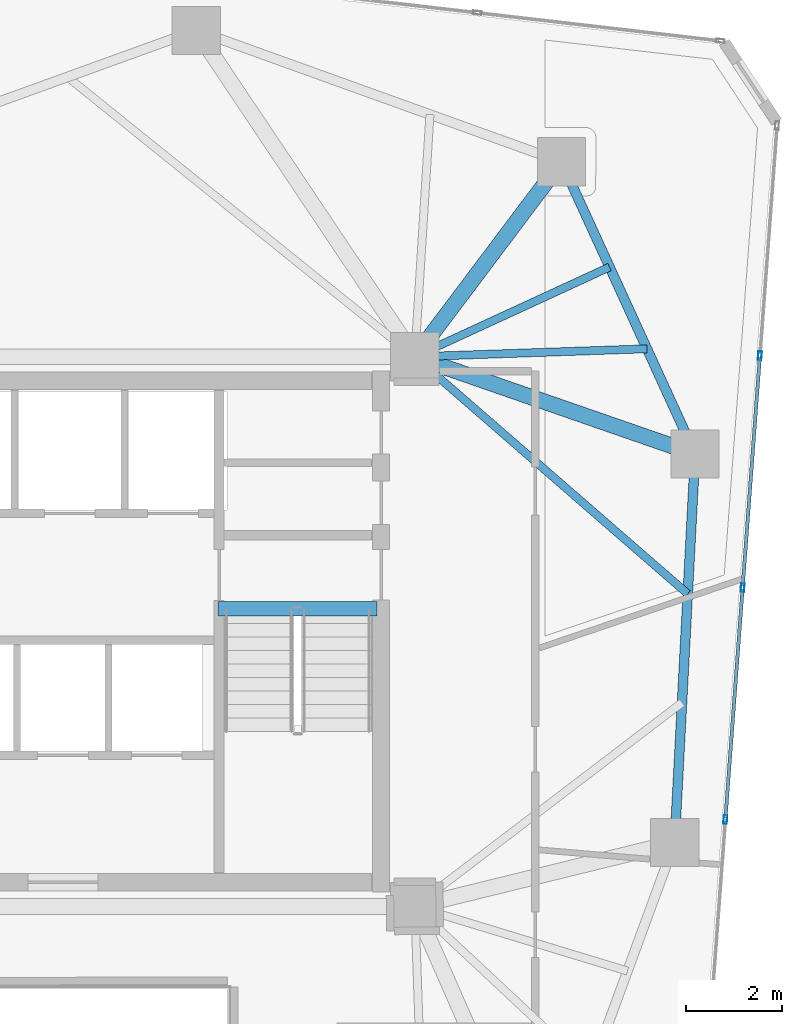
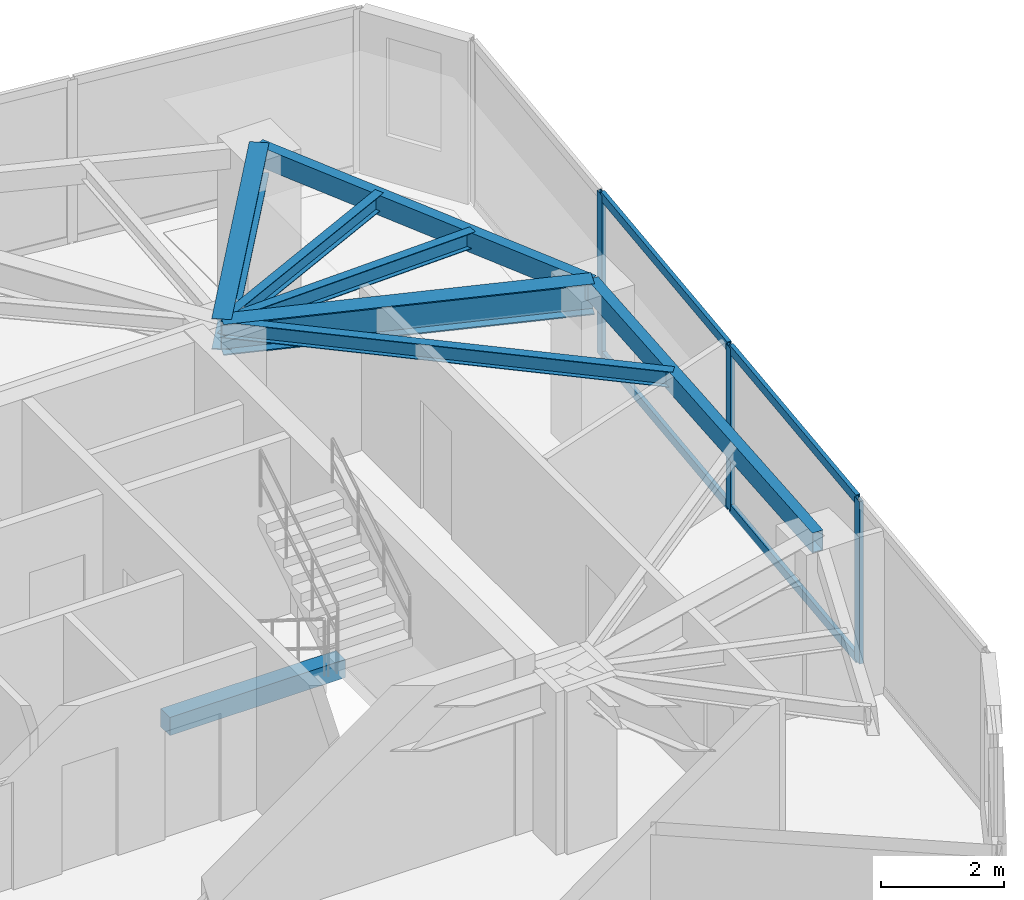
# One storey, part 11 of 20: 8 beams, 7 members, 1 element without a shape of its own.
"""IFC4 building model written with IfcOpenShell, lengths in metres."""

from ifc_helpers import new_model, si_unit, direction, frame, origin, origin_2d, place, context, subcontext, project, spatial, rectangle, hollow_rectangle, i_section, extrude, source, transform, mapped, material, layer, layer_set, material_profile, profile_set, type_object, type_shapes, element, aggregate, save


model = new_model("IFC4")

# Units and contexts
model_context = context("Model", 3, precision=1e-05, world=origin(), true_north=direction((0.0, 1.0)))
body_context = subcontext(model_context, "Body", "Model", "MODEL_VIEW")
ifc_project = project(units=[si_unit("LENGTHUNIT", "METRE"), si_unit("AREAUNIT", "SQUARE_METRE"), si_unit("VOLUMEUNIT", "CUBIC_METRE"), si_unit("PLANEANGLEUNIT", "RADIAN"), si_unit("MASSUNIT", "GRAM", prefix="KILO")], contexts=[model_context])

# Site, building, storey
site_placement = place(None, origin())
site = spatial("IfcSite", under=ifc_project, at=site_placement, CompositionType="ELEMENT")
building_placement = place(site_placement, origin())
building = spatial("IfcBuilding", under=site, at=building_placement, Name="Talar Marvaseh", CompositionType="ELEMENT")
storey_placement = place(building_placement, frame((0.0, 0.0, 215.199951171875)))
storey = spatial("IfcBuildingStorey", under=building, at=storey_placement, Name="L56", CompositionType="ELEMENT", Elevation=215.199951171875)

# Beams
ifc_material_1 = material(Name="Concrete C40/50", Category="concrete")
ifc_material_profile_1 = material_profile(ifc_material_1, rectangle(XDim=0.300048828125, YDim=0.360107421875, at=origin_2d()), Name="RC300x360")
ifc_profile_set_1 = profile_set([ifc_material_profile_1], Name="Concrete C40/50")
beam_type_1 = type_object("IfcBeamType", Name="Concrete Stair Landing Trimmer Beam RC300x360", PredefinedType="SPANDREL", material=ifc_profile_set_1)
beam_1_placement = place(storey_placement, frame((29.219970703125, 31.669921875, -0.179931640625), z_axis=(1.0, 0.0, 0.0), x_axis=(0.0, 1.0, 0.0)))
element("IfcBeam", 1, at=beam_1_placement, inside=storey, type_object=beam_type_1, Name="L56 ST-2 Stair Nosing Trimmer Beam", PredefinedType="SPANDREL", context=body_context, shape_type="SweptSolid", body=[
    extrude(rectangle(XDim=0.300048828125, YDim=0.360107421875, at=origin_2d()), origin(), (0.0, 0.0, 1.0), 3.300048828125),
])
ifc_material_2 = material(Name="Steel S355", Category="steel")
ifc_material_profile_2 = material_profile(ifc_material_2, hollow_rectangle(XDim=0.199951171875, YDim=0.39990234375, WallThickness=0.013916015625, at=origin_2d()), Name="RHS400x200x14")
ifc_profile_set_2 = profile_set([ifc_material_profile_2], Name="Steel S355")
beam_type_2 = type_object("IfcBeamType", Name="Zone 3 Perimeter Spandrel Beam RHS400x200x14", PredefinedType="SPANDREL", material=ifc_profile_set_2)
beam_2_placement = place(storey_placement, frame((36.341064453125, 40.94189453125, 3.030029296875), z_axis=(0.416090570719, -0.909323175202, 0.0), x_axis=(0.909323175202, 0.416090570719, 0.0)))
element("IfcBeam", 2, at=beam_2_placement, inside=storey, type_object=beam_type_2, Name="L56 Zone 3 Perimeter Spandrel Beam RHS400x200x14", PredefinedType="SPANDREL", context=body_context, shape_type="SweptSolid", body=[
    extrude(hollow_rectangle(XDim=0.199951171875, YDim=0.39990234375, WallThickness=0.013916015625, at=origin_2d()), origin(), (0.0, 0.0, 1.0), 6.661865234375),
])
beam_3_placement = place(storey_placement, frame((39.113037109375, 34.884033203125, 3.030029296875), z_axis=(-0.052541369293, -0.998618748328, 0.0), x_axis=(0.998618748328, -0.052541369293, 0.0)))
element("IfcBeam", 3, at=beam_3_placement, inside=storey, type_object=beam_type_2, Name="L56 Zone 3 Perimeter Spandrel Beam RHS400x200x14", PredefinedType="SPANDREL", context=body_context, shape_type="SweptSolid", body=[
    extrude(hollow_rectangle(XDim=0.199951171875, YDim=0.39990234375, WallThickness=0.013916015625, at=origin_2d()), origin(), (0.0, 0.0, 1.0), 8.0712890625),
])
ifc_material_profile_3 = material_profile(ifc_material_2, i_section(OverallWidth=0.324951171875, OverallDepth=0.615966796875, WebThickness=0.013916015625, FlangeThickness=0.021484375, at=origin_2d()), Name="W610x174")
ifc_profile_set_3 = profile_set([ifc_material_profile_3], Name="Steel S355")
beam_type_3 = type_object("IfcBeamType", Name="Zone 3 Radial Floor Girder W610x174", PredefinedType="BEAM", material=ifc_profile_set_3)
beam_4_placement = place(storey_placement, frame((36.341064453125, 40.94189453125, 2.922119140625), z_axis=(-0.601204044541, -0.799095549247, 0.0), x_axis=(0.799095549247, -0.601204044541, 0.0)))
element("IfcBeam", 4, at=beam_4_placement, inside=storey, type_object=beam_type_3, Name="L56 Zone 3 Radial Floor Girder W610x174", PredefinedType="BEAM", context=body_context, shape_type="SweptSolid", body=[
    extrude(i_section(OverallWidth=0.324951171875, OverallDepth=0.615966796875, WebThickness=0.013916015625, FlangeThickness=0.021484375, at=origin_2d()), origin(), (0.0, 0.0, 1.0), 5.05810546875),
])
beam_5_placement = place(storey_placement, frame((39.113037109375, 34.884033203125, 2.922119140625), z_axis=(-0.94480098975, 0.327644761544, 0.0), x_axis=(-0.327644761544, -0.94480098975, 0.0)))
element("IfcBeam", 5, at=beam_5_placement, inside=storey, type_object=beam_type_3, Name="L56 Zone 3 Radial Floor Girder W610x174", PredefinedType="BEAM", context=body_context, shape_type="SweptSolid", body=[
    extrude(i_section(OverallWidth=0.324951171875, OverallDepth=0.615966796875, WebThickness=0.013916015625, FlangeThickness=0.021484375, at=origin_2d()), origin(), (0.0, 0.0, 1.0), 6.152587890625),
])
ifc_material_profile_4 = material_profile(ifc_material_2, i_section(OverallWidth=0.166015625, OverallDepth=0.31298828125, WebThickness=0.006591796875, FlangeThickness=0.01123046875, at=origin_2d()), Name="W310x45")
ifc_profile_set_4 = profile_set([ifc_material_profile_4], Name="Steel S355")
beam_type_4 = type_object("IfcBeamType", Name="Zone 3 Secondary Floor Joist W310x45", PredefinedType="JOIST", material=ifc_profile_set_4)
beam_6_placement = place(storey_placement, frame((37.3388671875, 38.760986328125, 3.073486328125), z_axis=(-0.908214702737, -0.418504544458, 0.0), x_axis=(0.418504544458, -0.908214702737, 0.0)))
element("IfcBeam", 6, at=beam_6_placement, inside=storey, type_object=beam_type_4, Name="L56 Zone 3 Secondary Floor Joist W310x45", PredefinedType="JOIST", context=body_context, shape_type="SweptSolid", body=[
    extrude(i_section(OverallWidth=0.166015625, OverallDepth=0.31298828125, WebThickness=0.006591796875, FlangeThickness=0.01123046875, at=origin_2d()), origin(), (0.0, 0.0, 1.0), 4.447021484375),
])
beam_7_placement = place(storey_placement, frame((38.114990234375, 37.06494140625, 3.073486328125), z_axis=(-0.999413079861, -0.034256325017, 0.0), x_axis=(0.034256325017, -0.999413079861, 0.0)))
element("IfcBeam", 7, at=beam_7_placement, inside=storey, type_object=beam_type_4, Name="L56 Zone 3 Secondary Floor Joist W310x45", PredefinedType="JOIST", context=body_context, shape_type="SweptSolid", body=[
    extrude(i_section(OverallWidth=0.166015625, OverallDepth=0.31298828125, WebThickness=0.006591796875, FlangeThickness=0.01123046875, at=origin_2d()), origin(), (0.0, 0.0, 1.0), 4.81787109375),
])
beam_8_placement = place(storey_placement, frame((38.96044921875, 31.982421875, 3.073486328125), z_axis=(-0.754909663958, 0.655828788071, 0.0), x_axis=(-0.655828788071, -0.754909663958, 0.0)))
element("IfcBeam", 8, at=beam_8_placement, inside=storey, type_object=beam_type_4, Name="L56 Zone 3 Secondary Floor Joist W310x45", PredefinedType="JOIST", context=body_context, shape_type="SweptSolid", body=[
    extrude(i_section(OverallWidth=0.166015625, OverallDepth=0.31298828125, WebThickness=0.006591796875, FlangeThickness=0.01123046875, at=origin_2d()), origin(), (0.0, 0.0, 1.0), 7.498046875),
])

# Curtain wall, members
ifc_material_3 = material(Name="Architectural Aluminium", Category="aluminium")
ifc_layer = layer(ifc_material_3, 0.18994140625)
ifc_layer_set = layer_set([ifc_layer], Name="Architectural Aluminium")
curtain_wall_type = type_object("IfcCurtainWallType", Name="Unitised Solar Atelier Curtain Wall Z3", PredefinedType="NOTDEFINED", material=ifc_layer_set)
curtain_wall_placement = place(storey_placement, origin())
curtain_wall = element("IfcCurtainWall", 9, at=curtain_wall_placement, inside=storey, type_object=curtain_wall_type, Name="L56 Unitised Solar Atelier Curtain Wall Z3", PredefinedType="NOTDEFINED")
ifc_material_profile_5 = material_profile(ifc_material_3, hollow_rectangle(XDim=0.074951171875, YDim=0.179931640625, WallThickness=0.0048828125, at=origin_2d()), Name="RHS180x75x5")
ifc_profile_set_5 = profile_set([ifc_material_profile_5], Name="Architectural Aluminium")
member_type_1 = type_object("IfcMemberType", Name="Unitised Curtain Wall Standard Mullion RHS180x75x5", PredefinedType="MULLION", material=ifc_profile_set_5)
shared_shape_1 = source(origin(), body_context, "Body", "SweptSolid", [
    extrude(hollow_rectangle(XDim=0.074951171875, YDim=0.179931640625, WallThickness=0.0048828125, at=origin_2d()), origin(), (0.0, 0.0, 1.0), 3.22998046875),
])
type_shapes(member_type_1, [shared_shape_1])
member_1_placement = place(storey_placement, frame((40.456787109375, 36.921142578125, 0.0), z_axis=(0.0, 0.0, 1.0), x_axis=(0.997238678211, -0.074263171764, 0.0)))
member_1 = element("IfcMember", 10, at=member_1_placement, type_object=member_type_1, Name="CW-Z3 mullion 2", PredefinedType="MULLION", context=body_context, shape_type="MappedRepresentation", body=[
    mapped(shared_shape_1, transform((0.0, 0.0, 0.0), x_axis=(1.0, 0.0, 0.0), y_axis=(0.0, 1.0, 0.0), z_axis=(0.0, 0.0, 1.0), scale=1.0)),
])
member_2_placement = place(storey_placement, frame((40.0986328125, 32.112548828125, 0.0), z_axis=(0.0, 0.0, 1.0), x_axis=(0.997238678211, -0.074263171764, 0.0)))
member_2 = element("IfcMember", 11, at=member_2_placement, type_object=member_type_1, Name="CW-Z3 mullion 3", PredefinedType="MULLION", context=body_context, shape_type="MappedRepresentation", body=[
    mapped(shared_shape_1, transform((0.0, 0.0, 0.0), x_axis=(1.0, 0.0, 0.0), y_axis=(0.0, 1.0, 0.0), z_axis=(0.0, 0.0, 1.0), scale=1.0)),
])
member_3_placement = place(storey_placement, frame((39.740478515625, 27.3037109375, 0.0), z_axis=(0.0, 0.0, 1.0), x_axis=(0.997238678211, -0.074263171764, 0.0)))
member_3 = element("IfcMember", 12, at=member_3_placement, type_object=member_type_1, Name="CW-Z3 mullion 4", PredefinedType="MULLION", context=body_context, shape_type="MappedRepresentation", body=[
    mapped(shared_shape_1, transform((0.0, 0.0, 0.0), x_axis=(1.0, 0.0, 0.0), y_axis=(0.0, 1.0, 0.0), z_axis=(0.0, 0.0, 1.0), scale=1.0)),
])
ifc_material_profile_6 = material_profile(ifc_material_3, hollow_rectangle(XDim=0.074951171875, YDim=0.179931640625, WallThickness=0.0048828125, at=origin_2d()), Name="RHS180x75x5")
ifc_profile_set_6 = profile_set([ifc_material_profile_6], Name="Architectural Aluminium")
member_type_2 = type_object("IfcMemberType", Name="Unitised Curtain Wall Transom RHS180x75x5", PredefinedType="USERDEFINED", material=ifc_profile_set_6)
shared_shape_2 = source(origin(), body_context, "Body", "SweptSolid", [
    extrude(hollow_rectangle(XDim=0.074951171875, YDim=0.179931640625, WallThickness=0.0048828125, at=origin_2d()), origin(), (0.0, 0.0, 1.0), 4.7470703125),
])
type_shapes(member_type_2, [shared_shape_2])
member_4_placement = place(storey_placement, frame((40.453857421875, 36.8837890625, 0.03759765625), z_axis=(-0.074265723411, -0.997238488189, 0.0), x_axis=(0.997238488189, -0.074265723411, 0.0)))
member_4 = element("IfcMember", 13, at=member_4_placement, type_object=member_type_2, Name="CW-Z3 transom 2.1", ObjectType="TRANSOM", PredefinedType="USERDEFINED", context=body_context, shape_type="MappedRepresentation", body=[
    mapped(shared_shape_2, transform((0.0, 0.0, 0.0), x_axis=(1.0, 0.0, 0.0), y_axis=(0.0, 1.0, 0.0), z_axis=(0.0, 0.0, 1.0), scale=1.0)),
])
member_5_placement = place(storey_placement, frame((40.453857421875, 36.8837890625, 3.192626953125), z_axis=(-0.074265723411, -0.997238488189, 0.0), x_axis=(0.997238488189, -0.074265723411, 0.0)))
member_5 = element("IfcMember", 14, at=member_5_placement, type_object=member_type_2, Name="CW-Z3 transom 2.2", ObjectType="TRANSOM", PredefinedType="USERDEFINED", context=body_context, shape_type="MappedRepresentation", body=[
    mapped(shared_shape_2, transform((0.0, 0.0, 0.0), x_axis=(1.0, 0.0, 0.0), y_axis=(0.0, 1.0, 0.0), z_axis=(0.0, 0.0, 1.0), scale=1.0)),
])
member_6_placement = place(storey_placement, frame((40.095703125, 32.074951171875, 0.03759765625), z_axis=(-0.074265723411, -0.997238488189, 0.0), x_axis=(0.997238488189, -0.074265723411, 0.0)))
member_6 = element("IfcMember", 15, at=member_6_placement, type_object=member_type_2, Name="CW-Z3 transom 3.1", ObjectType="TRANSOM", PredefinedType="USERDEFINED", context=body_context, shape_type="MappedRepresentation", body=[
    mapped(shared_shape_2, transform((0.0, 0.0, 0.0), x_axis=(1.0, 0.0, 0.0), y_axis=(0.0, 1.0, 0.0), z_axis=(0.0, 0.0, 1.0), scale=1.0)),
])
member_7_placement = place(storey_placement, frame((40.095703125, 32.074951171875, 3.192626953125), z_axis=(-0.074265723411, -0.997238488189, 0.0), x_axis=(0.997238488189, -0.074265723411, 0.0)))
member_7 = element("IfcMember", 16, at=member_7_placement, type_object=member_type_2, Name="CW-Z3 transom 3.2", ObjectType="TRANSOM", PredefinedType="USERDEFINED", context=body_context, shape_type="MappedRepresentation", body=[
    mapped(shared_shape_2, transform((0.0, 0.0, 0.0), x_axis=(1.0, 0.0, 0.0), y_axis=(0.0, 1.0, 0.0), z_axis=(0.0, 0.0, 1.0), scale=1.0)),
])
aggregate(curtain_wall, [member_1, member_2, member_3, member_4, member_5, member_6, member_7])

save(model, "model.ifc")
